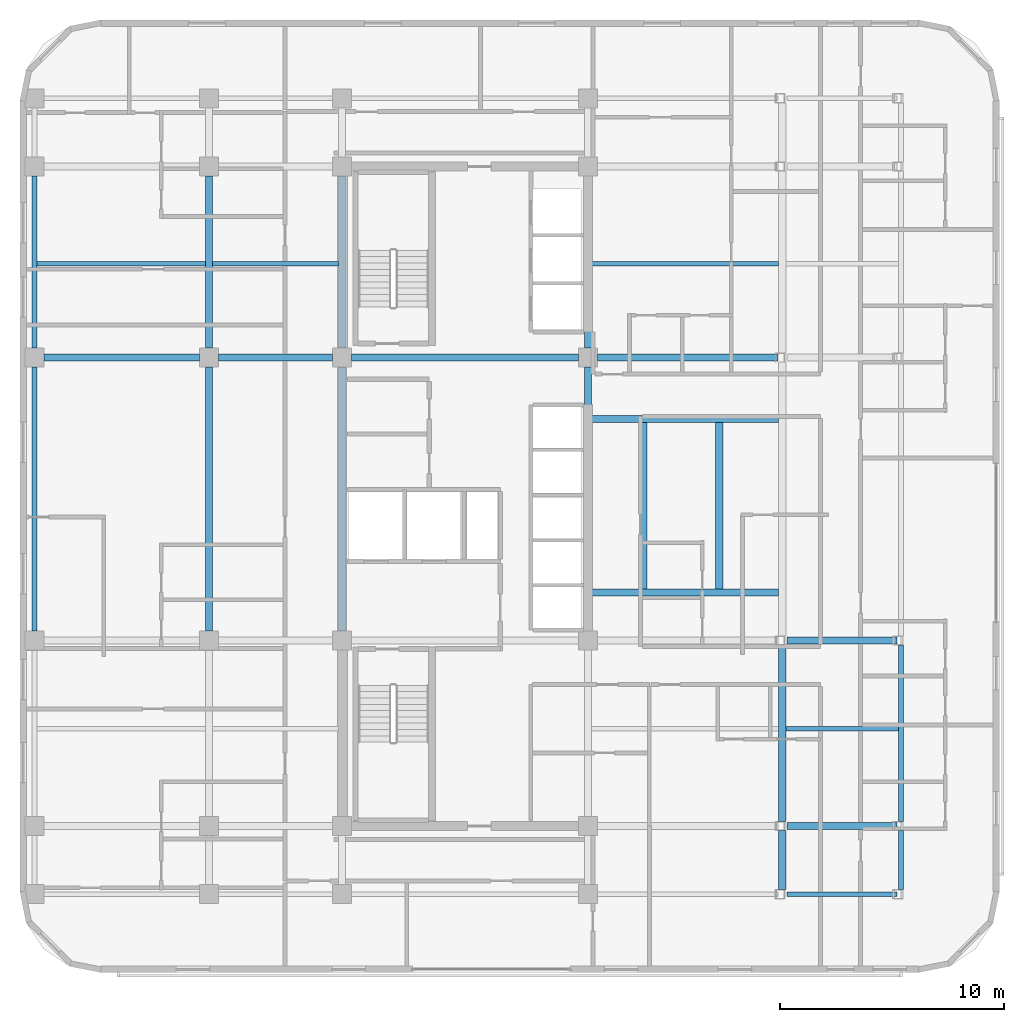
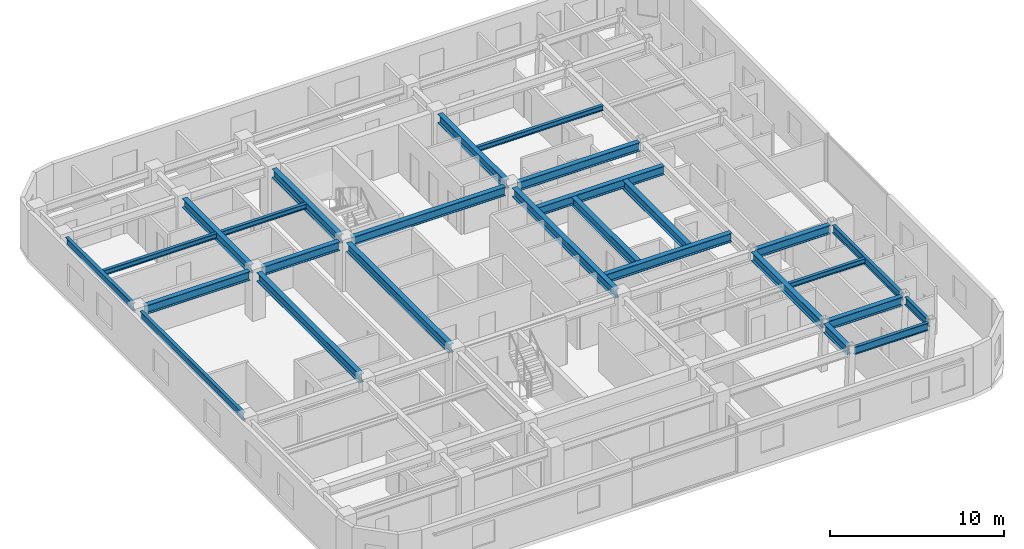
# One storey, part 3 of 14: 27 beams.
"""IFC4 building model written with IfcOpenShell, lengths in metres."""

from ifc_helpers import new_model, si_unit, direction, frame, origin, origin_2d, place, context, subcontext, project, spatial, i_section, extrude, material, material_profile, profile_set, type_object, element, save


model = new_model("IFC4")

# Units and contexts
model_context = context("Model", 3, precision=1e-05, world=origin(), true_north=direction((0.0, 1.0)))
body_context = subcontext(model_context, "Body", "Model", "MODEL_VIEW")
ifc_project = project(units=[si_unit("LENGTHUNIT", "METRE"), si_unit("AREAUNIT", "SQUARE_METRE"), si_unit("VOLUMEUNIT", "CUBIC_METRE"), si_unit("PLANEANGLEUNIT", "RADIAN"), si_unit("MASSUNIT", "GRAM", prefix="KILO")], contexts=[model_context])

# Site, building, storey
site_placement = place(None, origin())
site = spatial("IfcSite", under=ifc_project, at=site_placement, CompositionType="ELEMENT")
building_placement = place(site_placement, origin())
building = spatial("IfcBuilding", under=site, at=building_placement, Name="Ochreholt Gables", CompositionType="ELEMENT")
storey_placement = place(building_placement, frame((0.0, 0.0, 109.800048828125)))
storey = spatial("IfcBuildingStorey", under=building, at=storey_placement, Name="L28", CompositionType="ELEMENT", Elevation=109.800048828125)

# Beams
ifc_material = material(Name="Steel CSA G40.21 350W", Category="steel")
ifc_material_profile_1 = material_profile(ifc_material, i_section(OverallWidth=0.323974609375, OverallDepth=0.611083984375, WebThickness=0.0126953125, FlangeThickness=0.01904296875, at=origin_2d()), Name="W610X155")
ifc_profile_set_1 = profile_set([ifc_material_profile_1], Name="Steel CSA G40.21 350W")
beam_type_1 = type_object("IfcBeamType", Name="BM-G-W610A", PredefinedType="BEAM", material=ifc_profile_set_1)
for number, where, z_axis, x_axis, name in (
    (1, (44.107666015625, 9.25, 3.054443359375), (1.0, 0.0, 0.0), (0.0, 1.0, 0.0), "L28 Beam TBG-L28-EMEE-Y2"),
    (2, (44.107666015625, 17.550048828125, 3.054443359375), (1.0, 0.0, 0.0), (0.0, 1.0, 0.0), "L28 Beam TBG-L28-EMEE-Y3"),
):
    element("IfcBeam", number, at=place(storey_placement, frame(where, z_axis=z_axis, x_axis=x_axis)), inside=storey, type_object=beam_type_1, Name=name, PredefinedType="BEAM", context=body_context, shape_type="SweptSolid", body=[
        extrude(i_section(OverallWidth=0.323974609375, OverallDepth=0.611083984375, WebThickness=0.0126953125, FlangeThickness=0.01904296875, at=origin_2d()), origin(), (0.0, 0.0, 1.0), 4.923828125),
    ])
beam_1_placement = place(storey_placement, frame((10.87451171875, 30.199951171875, 3.054443359375), z_axis=(1.0, 0.0, 0.0), x_axis=(0.0, 1.0, 0.0)))
element("IfcBeam", 3, at=beam_1_placement, inside=storey, type_object=beam_type_1, Name="L28 Beam TBG-L28-W2W3-Y4", PredefinedType="BEAM", context=body_context, shape_type="SweptSolid", body=[
    extrude(i_section(OverallWidth=0.323974609375, OverallDepth=0.611083984375, WebThickness=0.0126953125, FlangeThickness=0.01904296875, at=origin_2d()), origin(), (0.0, 0.0, 1.0), 6.950927734375),
])
beam_2_placement = place(storey_placement, frame((18.674560546875, 30.199951171875, 3.054443359375), z_axis=(1.0, 0.0, 0.0), x_axis=(0.0, 1.0, 0.0)))
element("IfcBeam", 4, at=beam_2_placement, inside=storey, type_object=beam_type_1, Name="L28 Beam TBG-L28-W3C1-Y4", PredefinedType="BEAM", context=body_context, shape_type="SweptSolid", body=[
    extrude(i_section(OverallWidth=0.323974609375, OverallDepth=0.611083984375, WebThickness=0.0126953125, FlangeThickness=0.01904296875, at=origin_2d()), origin(), (0.0, 0.0, 1.0), 5.100830078125),
])
beam_3_placement = place(storey_placement, frame((24.62451171875, 30.199951171875, 3.054443359375), z_axis=(1.0, 0.0, 0.0), x_axis=(0.0, 1.0, 0.0)))
element("IfcBeam", 5, at=beam_3_placement, inside=storey, type_object=beam_type_1, Name="L28 Beam TBG-L28-C1C2-Y4", PredefinedType="BEAM", context=body_context, shape_type="SweptSolid", body=[
    extrude(i_section(OverallWidth=0.323974609375, OverallDepth=0.611083984375, WebThickness=0.0126953125, FlangeThickness=0.01904296875, at=origin_2d()), origin(), (0.0, 0.0, 1.0), 10.15087890625),
])
beam_4_placement = place(storey_placement, frame((35.62451171875, 30.199951171875, 3.054443359375), z_axis=(1.0, 0.0, 0.0), x_axis=(0.0, 1.0, 0.0)))
element("IfcBeam", 6, at=beam_4_placement, inside=storey, type_object=beam_type_1, Name="L28 Beam TBG-L28-C2EM-Y4", PredefinedType="BEAM", context=body_context, shape_type="SweptSolid", body=[
    extrude(i_section(OverallWidth=0.323974609375, OverallDepth=0.611083984375, WebThickness=0.0126953125, FlangeThickness=0.01904296875, at=origin_2d()), origin(), (0.0, 0.0, 1.0), 8.077880859375),
])
beam_5_placement = place(storey_placement, frame((18.25, 17.974609375, 3.054443359375), z_axis=(0.0, 1.0, 0.0), x_axis=(-1.0, 0.0, 0.0)))
element("IfcBeam", 7, at=beam_5_placement, inside=storey, type_object=beam_type_1, Name="L28 Beam TBN-L28-W3-Y3Y4", PredefinedType="BEAM", context=body_context, shape_type="SweptSolid", body=[
    extrude(i_section(OverallWidth=0.323974609375, OverallDepth=0.611083984375, WebThickness=0.0126953125, FlangeThickness=0.01904296875, at=origin_2d()), origin(), (0.0, 0.0, 1.0), 11.80078125),
])
beam_6_placement = place(storey_placement, frame((18.25, 30.62451171875, 3.054443359375), z_axis=(0.0, 1.0, 0.0), x_axis=(-1.0, 0.0, 0.0)))
element("IfcBeam", 8, at=beam_6_placement, inside=storey, type_object=beam_type_1, Name="L28 Beam TBN-L28-W3-Y4Y5", PredefinedType="BEAM", context=body_context, shape_type="SweptSolid", body=[
    extrude(i_section(OverallWidth=0.323974609375, OverallDepth=0.611083984375, WebThickness=0.0126953125, FlangeThickness=0.01904296875, at=origin_2d()), origin(), (0.0, 0.0, 1.0), 7.700927734375),
])
beam_7_placement = place(storey_placement, frame((24.199951171875, 17.974609375, 3.054443359375), z_axis=(0.0, 1.0, 0.0), x_axis=(-1.0, 0.0, 0.0)))
element("IfcBeam", 9, at=beam_7_placement, inside=storey, type_object=beam_type_1, Name="L28 Beam TBN-L28-C1-Y3Y4", PredefinedType="BEAM", context=body_context, shape_type="SweptSolid", body=[
    extrude(i_section(OverallWidth=0.323974609375, OverallDepth=0.611083984375, WebThickness=0.0126953125, FlangeThickness=0.01904296875, at=origin_2d()), origin(), (0.0, 0.0, 1.0), 11.80078125),
])
beam_8_placement = place(storey_placement, frame((24.199951171875, 30.62451171875, 3.054443359375), z_axis=(0.0, 1.0, 0.0), x_axis=(-1.0, 0.0, 0.0)))
element("IfcBeam", 10, at=beam_8_placement, inside=storey, type_object=beam_type_1, Name="L28 Beam TBN-L28-C1-Y4Y5", PredefinedType="BEAM", context=body_context, shape_type="SweptSolid", body=[
    extrude(i_section(OverallWidth=0.323974609375, OverallDepth=0.611083984375, WebThickness=0.0126953125, FlangeThickness=0.01904296875, at=origin_2d()), origin(), (0.0, 0.0, 1.0), 7.700927734375),
])
beam_9_placement = place(storey_placement, frame((35.199951171875, 17.974609375, 3.054443359375), z_axis=(0.0, 1.0, 0.0), x_axis=(-1.0, 0.0, 0.0)))
element("IfcBeam", 11, at=beam_9_placement, inside=storey, type_object=beam_type_1, Name="L28 Beam TBN-L28-C2-Y3Y4", PredefinedType="BEAM", context=body_context, shape_type="SweptSolid", body=[
    extrude(i_section(OverallWidth=0.323974609375, OverallDepth=0.611083984375, WebThickness=0.0126953125, FlangeThickness=0.01904296875, at=origin_2d()), origin(), (0.0, 0.0, 1.0), 11.80078125),
])
beam_10_placement = place(storey_placement, frame((35.199951171875, 30.62451171875, 3.054443359375), z_axis=(0.0, 1.0, 0.0), x_axis=(-1.0, 0.0, 0.0)))
element("IfcBeam", 12, at=beam_10_placement, inside=storey, type_object=beam_type_1, Name="L28 Beam TBN-L28-C2-Y4Y5", PredefinedType="BEAM", context=body_context, shape_type="SweptSolid", body=[
    extrude(i_section(OverallWidth=0.323974609375, OverallDepth=0.611083984375, WebThickness=0.0126953125, FlangeThickness=0.01904296875, at=origin_2d()), origin(), (0.0, 0.0, 1.0), 7.700927734375),
])
beam_11_placement = place(storey_placement, frame((43.887939453125, 6.402587890625, 3.054443359375), z_axis=(0.0, 1.0, 0.0), x_axis=(-1.0, 0.0, 0.0)))
element("IfcBeam", 13, at=beam_11_placement, inside=storey, type_object=beam_type_1, Name="L28 Beam TBN-L28-EM-Y1Y2", PredefinedType="BEAM", context=body_context, shape_type="SweptSolid", body=[
    extrude(i_section(OverallWidth=0.323974609375, OverallDepth=0.611083984375, WebThickness=0.0126953125, FlangeThickness=0.01904296875, at=origin_2d()), origin(), (0.0, 0.0, 1.0), 2.644775390625),
])
beam_12_placement = place(storey_placement, frame((43.887939453125, 9.45263671875, 3.054443359375), z_axis=(0.0, 1.0, 0.0), x_axis=(-1.0, 0.0, 0.0)))
element("IfcBeam", 14, at=beam_12_placement, inside=storey, type_object=beam_type_1, Name="L28 Beam TBN-L28-EM-Y2Y3", PredefinedType="BEAM", context=body_context, shape_type="SweptSolid", body=[
    extrude(i_section(OverallWidth=0.323974609375, OverallDepth=0.611083984375, WebThickness=0.0126953125, FlangeThickness=0.01904296875, at=origin_2d()), origin(), (0.0, 0.0, 1.0), 7.894775390625),
])
for number, where, z_axis, x_axis, name in (
    (15, (35.361572265625, 19.68994140625, 3.054443359375), (1.0, 0.0, 0.0), (0.0, 1.0, 0.0), "L28 Beam TBH-L28-ST-C3-FSTLS"),
    (16, (35.361572265625, 27.449951171875, 3.054443359375), (1.0, 0.0, 0.0), (0.0, 1.0, 0.0), "L28 Beam TBH-L28-ST-C3-FSTLN"),
):
    element("IfcBeam", number, at=place(storey_placement, frame(where, z_axis=z_axis, x_axis=x_axis)), inside=storey, type_object=beam_type_1, Name=name, PredefinedType="BEAM", context=body_context, shape_type="SweptSolid", body=[
        extrude(i_section(OverallWidth=0.323974609375, OverallDepth=0.611083984375, WebThickness=0.0126953125, FlangeThickness=0.01904296875, at=origin_2d()), origin(), (0.0, 0.0, 1.0), 8.36474609375),
    ])
for number, where, z_axis, x_axis, name in (
    (17, (37.68994140625, 19.8515625, 3.054443359375), (0.0, 1.0, 0.0), (-1.0, 0.0, 0.0), "L28 Beam TBT-L28-ST-C3-FSTLW"),
    (18, (41.070068359375, 19.8515625, 3.054443359375), (0.0, 1.0, 0.0), (-1.0, 0.0, 0.0), "L28 Beam TBT-L28-ST-C3-FSTLE"),
):
    element("IfcBeam", number, at=place(storey_placement, frame(where, z_axis=z_axis, x_axis=x_axis)), inside=storey, type_object=beam_type_1, Name=name, PredefinedType="BEAM", context=body_context, shape_type="SweptSolid", body=[
        extrude(i_section(OverallWidth=0.323974609375, OverallDepth=0.611083984375, WebThickness=0.0126953125, FlangeThickness=0.01904296875, at=origin_2d()), origin(), (0.0, 0.0, 1.0), 7.436767578125),
    ])
ifc_material_profile_2 = material_profile(ifc_material, i_section(OverallWidth=0.205078125, OverallDepth=0.35400390625, WebThickness=0.009521484375, FlangeThickness=0.016845703125, at=origin_2d()), Name="W360X79")
ifc_profile_set_2 = profile_set([ifc_material_profile_2], Name="Steel CSA G40.21 350W")
beam_type_2 = type_object("IfcBeamType", Name="BM-J-W360A", PredefinedType="JOIST", material=ifc_profile_set_2)
beam_13_placement = place(storey_placement, frame((44.049560546875, 13.60009765625, 3.182861328125), z_axis=(1.0, 0.0, 0.0), x_axis=(0.0, 1.0, 0.0)))
element("IfcBeam", 19, at=beam_13_placement, inside=storey, type_object=beam_type_2, Name="L28 Beam TBJ-L28-J1-EMEE", PredefinedType="JOIST", context=body_context, shape_type="SweptSolid", body=[
    extrude(i_section(OverallWidth=0.205078125, OverallDepth=0.35400390625, WebThickness=0.009521484375, FlangeThickness=0.016845703125, at=origin_2d()), origin(), (0.0, 0.0, 1.0), 5.052001953125),
])
beam_14_placement = place(storey_placement, frame((10.55419921875, 34.39990234375, 3.182861328125), z_axis=(1.0, 0.0, 0.0), x_axis=(0.0, 1.0, 0.0)))
element("IfcBeam", 20, at=beam_14_placement, inside=storey, type_object=beam_type_2, Name="L28 Beam TBJ-L28-J2-W2W3", PredefinedType="JOIST", context=body_context, shape_type="SweptSolid", body=[
    extrude(i_section(OverallWidth=0.205078125, OverallDepth=0.35400390625, WebThickness=0.009521484375, FlangeThickness=0.016845703125, at=origin_2d()), origin(), (0.0, 0.0, 1.0), 7.5341796875),
])
beam_15_placement = place(storey_placement, frame((18.41162109375, 34.39990234375, 3.182861328125), z_axis=(1.0, 0.0, 0.0), x_axis=(0.0, 1.0, 0.0)))
element("IfcBeam", 21, at=beam_15_placement, inside=storey, type_object=beam_type_2, Name="L28 Beam TBJ-L28-J2-W3C1", PredefinedType="JOIST", context=body_context, shape_type="SweptSolid", body=[
    extrude(i_section(OverallWidth=0.205078125, OverallDepth=0.35400390625, WebThickness=0.009521484375, FlangeThickness=0.016845703125, at=origin_2d()), origin(), (0.0, 0.0, 1.0), 5.626708984375),
])
beam_16_placement = place(storey_placement, frame((35.361572265625, 34.39990234375, 3.182861328125), z_axis=(1.0, 0.0, 0.0), x_axis=(0.0, 1.0, 0.0)))
element("IfcBeam", 22, at=beam_16_placement, inside=storey, type_object=beam_type_2, Name="L28 Beam TBJ-L28-J2-C2EM", PredefinedType="JOIST", context=body_context, shape_type="SweptSolid", body=[
    extrude(i_section(OverallWidth=0.205078125, OverallDepth=0.35400390625, WebThickness=0.009521484375, FlangeThickness=0.016845703125, at=origin_2d()), origin(), (0.0, 0.0, 1.0), 8.36474609375),
])
ifc_material_profile_3 = material_profile(ifc_material, i_section(OverallWidth=0.208984375, OverallDepth=0.532958984375, WebThickness=0.01025390625, FlangeThickness=0.015625, at=origin_2d()), Name="W530X92")
ifc_profile_set_3 = profile_set([ifc_material_profile_3], Name="Steel CSA G40.21 350W")
beam_type_3 = type_object("IfcBeamType", Name="BM-SP-W530B", PredefinedType="SPANDREL", material=ifc_profile_set_3)
beam_17_placement = place(storey_placement, frame((44.107666015625, 6.199951171875, 3.093505859375), z_axis=(1.0, 0.0, 0.0), x_axis=(0.0, 1.0, 0.0)))
element("IfcBeam", 23, at=beam_17_placement, inside=storey, type_object=beam_type_3, Name="L28 Beam TBG-L28-EMEE-Y1", PredefinedType="SPANDREL", context=body_context, shape_type="SweptSolid", body=[
    extrude(i_section(OverallWidth=0.208984375, OverallDepth=0.532958984375, WebThickness=0.01025390625, FlangeThickness=0.015625, at=origin_2d()), origin(), (0.0, 0.0, 1.0), 4.923828125),
])
beam_18_placement = place(storey_placement, frame((10.449951171875, 17.974609375, 3.093505859375), z_axis=(0.0, 1.0, 0.0), x_axis=(-1.0, 0.0, 0.0)))
element("IfcBeam", 24, at=beam_18_placement, inside=storey, type_object=beam_type_3, Name="L28 Beam TBN-L28-W2-Y3Y4", PredefinedType="SPANDREL", context=body_context, shape_type="SweptSolid", body=[
    extrude(i_section(OverallWidth=0.208984375, OverallDepth=0.532958984375, WebThickness=0.01025390625, FlangeThickness=0.015625, at=origin_2d()), origin(), (0.0, 0.0, 1.0), 11.80078125),
])
beam_19_placement = place(storey_placement, frame((10.449951171875, 30.62451171875, 3.093505859375), z_axis=(0.0, 1.0, 0.0), x_axis=(-1.0, 0.0, 0.0)))
element("IfcBeam", 25, at=beam_19_placement, inside=storey, type_object=beam_type_3, Name="L28 Beam TBN-L28-W2-Y4Y5", PredefinedType="SPANDREL", context=body_context, shape_type="SweptSolid", body=[
    extrude(i_section(OverallWidth=0.208984375, OverallDepth=0.532958984375, WebThickness=0.01025390625, FlangeThickness=0.015625, at=origin_2d()), origin(), (0.0, 0.0, 1.0), 7.700927734375),
])
beam_20_placement = place(storey_placement, frame((49.20556640625, 6.402587890625, 3.093505859375), z_axis=(0.0, 1.0, 0.0), x_axis=(-1.0, 0.0, 0.0)))
element("IfcBeam", 26, at=beam_20_placement, inside=storey, type_object=beam_type_3, Name="L28 Beam TBN-L28-EE-Y1Y2", PredefinedType="SPANDREL", context=body_context, shape_type="SweptSolid", body=[
    extrude(i_section(OverallWidth=0.208984375, OverallDepth=0.532958984375, WebThickness=0.01025390625, FlangeThickness=0.015625, at=origin_2d()), origin(), (0.0, 0.0, 1.0), 2.644775390625),
])
beam_21_placement = place(storey_placement, frame((49.20556640625, 9.45263671875, 3.093505859375), z_axis=(0.0, 1.0, 0.0), x_axis=(-1.0, 0.0, 0.0)))
element("IfcBeam", 27, at=beam_21_placement, inside=storey, type_object=beam_type_3, Name="L28 Beam TBN-L28-EE-Y2Y3", PredefinedType="SPANDREL", context=body_context, shape_type="SweptSolid", body=[
    extrude(i_section(OverallWidth=0.208984375, OverallDepth=0.532958984375, WebThickness=0.01025390625, FlangeThickness=0.015625, at=origin_2d()), origin(), (0.0, 0.0, 1.0), 7.894775390625),
])

save(model, "model.ifc")
